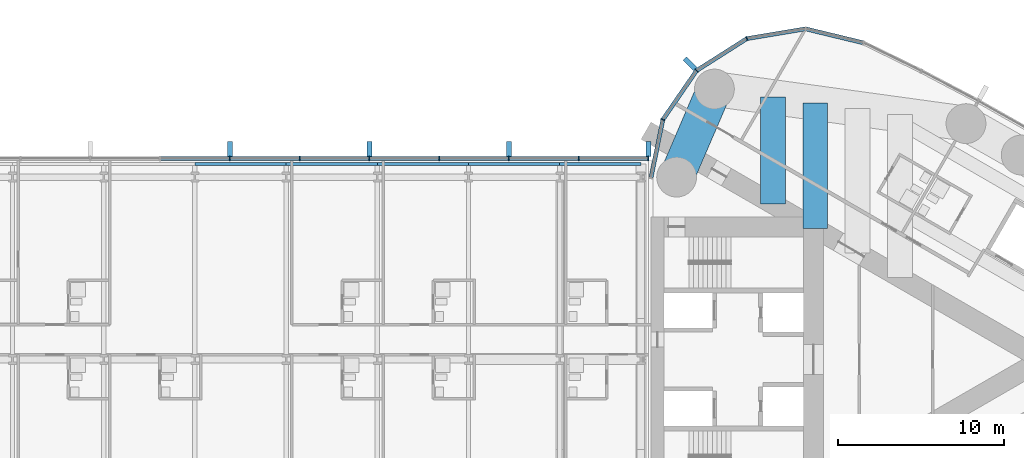
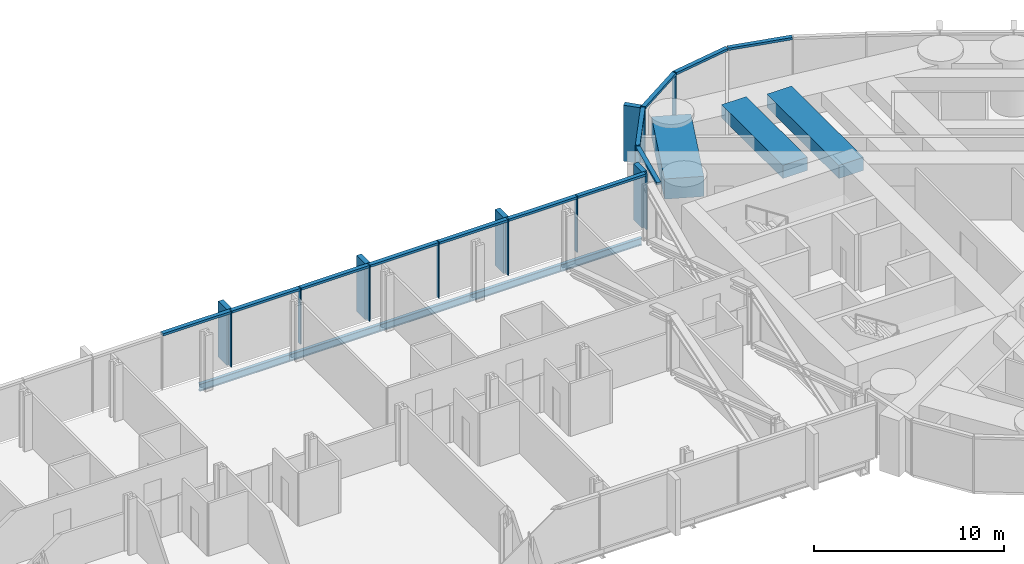
# One storey, part 10 of 22: 27 members, 8 beams, 2 elements without a shape of their own.
"""IFC4 building model written with IfcOpenShell, lengths in metres."""

import ifcopenshell
import ifcopenshell.guid

model = None  # the IFC model being written
_history = None  # IfcOwnerHistory: only IFC2X3 demands one
_inside = {}  # id of a spatial element -> (the spatial element, [elements in it])
_under = {}  # id of a project, library or spatial element -> (it, [spatial elements below it])
_declared = {}  # id of a project -> (the project, [libraries it declares])
_typed = {}  # id of a type object -> (the type object, [elements of that type])
_made_of = {}  # id of a material, layer set ... -> (it, [elements and type objects made of it])


def new_model(schema):
    """Start an empty IFC model of exactly this schema.

    Asked for "IFC4X3", IfcOpenShell would pick the latest addendum, in which some entities
    have other attributes; the version numbers below select the first issue.
    IFC2X3 requires an IfcOwnerHistory on every rooted entity: one is made here for all.
    """
    global model, _history
    if schema == "IFC4X3":
        model = ifcopenshell.file(schema_version=(4, 3, 0, 0))
    else:
        model = ifcopenshell.file(schema=schema)
    _inside.clear()
    _under.clear()
    _declared.clear()
    _typed.clear()
    _made_of.clear()
    _history = None
    if model.schema == "IFC2X3":
        org = make("IfcOrganization", Name="unknown")
        user = make(
            "IfcPersonAndOrganization",
            ThePerson=make("IfcPerson", FamilyName="unknown"),
            TheOrganization=org,
        )
        app = make(
            "IfcApplication",
            ApplicationDeveloper=org,
            Version="unknown",
            ApplicationFullName="unknown",
            ApplicationIdentifier="unknown",
        )
        _history = make(
            "IfcOwnerHistory",
            OwningUser=user,
            OwningApplication=app,
            ChangeAction="ADDED",
            CreationDate=0,
        )
    return model


def make(cls, **values):
    """One entity of the class cls with the attributes given. An attribute that is None is left unset."""
    return model.create_entity(
        cls, **{name: value for name, value in values.items() if value is not None}
    )


def rooted(cls, **values):
    """An entity with a GlobalId (a new one), such as an element, a storey or a relation."""
    return make(cls, GlobalId=ifcopenshell.guid.new(), OwnerHistory=_history, **values)


def si_unit(unit_type, name, prefix=None):
    """IfcSIUnit, for example si_unit("LENGTHUNIT", "METRE", prefix="MILLI")."""
    return make("IfcSIUnit", UnitType=unit_type, Prefix=prefix, Name=name)


def assignment(units):
    """IfcUnitAssignment: the units of a project."""
    return None if units is None else make("IfcUnitAssignment", Units=units)


def point(xyz):
    """IfcCartesianPoint."""
    return None if xyz is None else make("IfcCartesianPoint", Coordinates=xyz)


def direction(xyz):
    """IfcDirection."""
    return None if xyz is None else make("IfcDirection", DirectionRatios=xyz)


def frame(location, z_axis=None, x_axis=None):
    """IfcAxis2Placement3D, a coordinate frame: its origin and axes. An axis left out is left unset."""
    return make(
        "IfcAxis2Placement3D",
        Location=point(location),
        Axis=direction(z_axis),
        RefDirection=direction(x_axis),
    )


def frame_2d(location, x_axis=None):
    """IfcAxis2Placement2D, a coordinate frame in the plane: its origin and x axis."""
    return make(
        "IfcAxis2Placement2D", Location=point(location), RefDirection=direction(x_axis)
    )


def origin():
    """The frame at (0, 0, 0) with its axes left unset."""
    return frame((0.0, 0.0, 0.0))


def origin_2d():
    """The frame at (0, 0) in the plane with its x axis left unset."""
    return frame_2d((0.0, 0.0))


def place(relative_to, where):
    """IfcLocalPlacement: puts the frame where relative to a parent placement (None: the world)."""
    return make(
        "IfcLocalPlacement", PlacementRelTo=relative_to, RelativePlacement=where
    )


def context(
    kind, dimensions, precision=None, world=None, true_north=None, identifier=None
):
    """IfcGeometricRepresentationContext, for example the 3D "Model" context."""
    return make(
        "IfcGeometricRepresentationContext",
        ContextIdentifier=identifier,
        ContextType=kind,
        CoordinateSpaceDimension=dimensions,
        Precision=precision,
        WorldCoordinateSystem=world,
        TrueNorth=true_north,
    )


def subcontext(parent, identifier, kind, view, scale=None):
    """IfcGeometricRepresentationSubContext, for example "Body" below "Model"."""
    return make(
        "IfcGeometricRepresentationSubContext",
        ContextIdentifier=identifier,
        ContextType=kind,
        ParentContext=parent,
        TargetScale=scale,
        TargetView=view,
    )


def project(units=None, contexts=None):
    """IfcProject with its units and contexts."""
    return rooted(
        "IfcProject",
        Name="project",
        RepresentationContexts=contexts,
        UnitsInContext=assignment(units),
    )


def spatial(cls, under=None, at=None, **own):
    """A site, building, storey or space (cls), placed at a placement, below another one or the project."""
    s = rooted(cls, ObjectPlacement=at, **own)
    if under is not None:
        _under.setdefault(under.id(), (under, []))[1].append(s)
    return s


def profile(cls, at=None, kind="AREA", **sizes):
    """A parametric profile (cls). Its sizes go by their IFC names, for example OverallWidth=200.0."""
    return make(cls, ProfileType=kind, Position=at, **sizes)


def rectangle(**sizes):
    """IfcRectangleProfileDef."""
    return profile("IfcRectangleProfileDef", **sizes)


def i_section(**sizes):
    """IfcIShapeProfileDef."""
    return profile("IfcIShapeProfileDef", **sizes)


def extrude(swept, where, along, depth):
    """IfcExtrudedAreaSolid: the profile swept, set in the frame where, extruded along a direction by depth."""
    return make(
        "IfcExtrudedAreaSolid",
        SweptArea=swept,
        Position=where,
        ExtrudedDirection=direction(along),
        Depth=depth,
    )


def shape(context_of_items, identifier, shape_type, items):
    """IfcShapeRepresentation: the items that make up one representation, for example the "Body"."""
    return make(
        "IfcShapeRepresentation",
        ContextOfItems=context_of_items,
        RepresentationIdentifier=identifier,
        RepresentationType=shape_type,
        Items=items,
    )


def material(Name=None, Category=None):
    """IfcMaterial."""
    return make("IfcMaterial", Name=Name, Category=Category)


def material_profile(
    of_material, cross_section, Name=None, Category=None, Priority=None
):
    """IfcMaterialProfile: a cross section and its material."""
    return make(
        "IfcMaterialProfile",
        Name=Name,
        Material=of_material,
        Profile=cross_section,
        Priority=Priority,
        Category=Category,
    )


def profile_set(profiles, Name=None, composite=None):
    """IfcMaterialProfileSet."""
    return make(
        "IfcMaterialProfileSet",
        Name=Name,
        MaterialProfiles=profiles,
        CompositeProfile=composite,
    )


def made_of(thing, what):
    """Note that an element or type object is made of a material, layer set ...; save() writes the relation."""
    if what is not None:
        _made_of.setdefault(what.id(), (what, []))[1].append(thing)
    return thing


def type_object(cls, material=None, **own):
    """A type object (cls), such as IfcWallType, which elements share."""
    return made_of(rooted(cls, **own), material)


def element(
    cls,
    number,
    at=None,
    inside=None,
    cuts=None,
    type_object=None,
    material=None,
    context=None,
    identifier="Body",
    shape_type=None,
    held_by="IfcProductDefinitionShape",
    body=None,
    shapes=None,
    **own,
):
    """One element of the class cls, such as IfcWall. Its Tag is "e" and its number.

    at: its placement. inside: the storey or other place that contains it. cuts: it is an
    opening in that element (IfcRelVoidsElement). A single representation is given by context,
    identifier, shape_type and body (its items); several are given by shapes. held_by: the class
    of the entity that holds the representations. save() writes the other relations.
    """
    e = rooted(cls, Tag="e%d" % number, ObjectPlacement=at, **own)
    if body is not None:
        shapes = [shape(context, identifier, shape_type, body)]
    if shapes is not None:
        e.Representation = make(held_by, Representations=shapes)
    if inside is not None:
        _inside.setdefault(inside.id(), (inside, []))[1].append(e)
    if cuts is not None:
        rooted(
            "IfcRelVoidsElement", RelatingBuildingElement=cuts, RelatedOpeningElement=e
        )
    if type_object is not None:
        _typed.setdefault(type_object.id(), (type_object, []))[1].append(e)
    return made_of(e, material)


def aggregate(whole, parts):
    """IfcRelAggregates: a whole, such as a stair, and the parts it consists of."""
    return rooted("IfcRelAggregates", RelatingObject=whole, RelatedObjects=parts)


def save(model, path):
    """Write the relations noted so far, then the file.

    IfcRelAggregates (storeys below a building ...), IfcRelContainedInSpatialStructure (elements
    in a storey), IfcRelDefinesByType, IfcRelAssociatesMaterial and IfcRelDeclares: one each for
    every whole, place, type object, material and project.
    """
    for whole, parts in _under.values():
        aggregate(whole, parts)
    for where, things in _inside.values():
        rooted(
            "IfcRelContainedInSpatialStructure",
            RelatedElements=things,
            RelatingStructure=where,
        )
    for kind, things in _typed.values():
        rooted("IfcRelDefinesByType", RelatedObjects=things, RelatingType=kind)
    for what, things in _made_of.values():
        rooted("IfcRelAssociatesMaterial", RelatedObjects=things, RelatingMaterial=what)
    for by, libraries in _declared.values():
        rooted("IfcRelDeclares", RelatingContext=by, RelatedDefinitions=libraries)
    model.write(path)


model = new_model("IFC4")

# Units and contexts
model_context = context("Model", 3, precision=1e-05, world=origin(), true_north=direction((0.0, 1.0)))
body_context = subcontext(model_context, "Body", "Model", "MODEL_VIEW")
ifc_project = project(units=[si_unit("LENGTHUNIT", "METRE"), si_unit("AREAUNIT", "SQUARE_METRE"), si_unit("VOLUMEUNIT", "CUBIC_METRE"), si_unit("PLANEANGLEUNIT", "RADIAN"), si_unit("MASSUNIT", "GRAM", prefix="KILO")], contexts=[model_context])

# Site, building, storey
site_placement = place(None, origin())
site = spatial("IfcSite", under=ifc_project, at=site_placement, CompositionType="ELEMENT")
building_placement = place(site_placement, origin())
building = spatial("IfcBuilding", under=site, at=building_placement, Name="Lancet Gate Hotel", CompositionType="ELEMENT")
storey_placement = place(building_placement, frame((0.0, 0.0, 226.10009765625)))
storey = spatial("IfcBuildingStorey", under=building, at=storey_placement, Name="L60", CompositionType="ELEMENT", Elevation=226.10009765625)

# Curtain wall, members
ifc_material_1 = material(Name="Aluminium curtain wall", Category="aluminium")
curtain_wall_type_1 = type_object("IfcCurtainWallType", Name="Tower unitised curtain wall", PredefinedType="USERDEFINED", material=ifc_material_1)
curtain_wall_1_placement = place(storey_placement, origin())
curtain_wall_1 = element("IfcCurtainWall", 1, at=curtain_wall_1_placement, inside=storey, type_object=curtain_wall_type_1, Name="T2 L60 curtain wall 1", ObjectType="UNITISED CURTAIN WALL", PredefinedType="USERDEFINED")
ifc_material_2 = material(Name="Aluminium mullion", Category="aluminium")
ifc_material_profile_1 = material_profile(ifc_material_2, rectangle(XDim=0.06494140625, YDim=0.25, at=origin_2d()), Name="MULLION 65x250")
ifc_profile_set_1 = profile_set([ifc_material_profile_1], Name="Aluminium mullion")
member_type_1 = type_object("IfcMemberType", Name="Aluminium mullion 65x250", PredefinedType="MULLION", material=ifc_profile_set_1)
member_1_placement = place(storey_placement, frame((33.283203125, 19.353515625, 0.0), z_axis=(0.0, 0.0, 1.0), x_axis=(-0.93394321776, -0.357421412343, 0.0)))
member_1 = element("IfcMember", 2, at=member_1_placement, type_object=member_type_1, Name="T2 L60 curtain wall 1 mullion 24", PredefinedType="MULLION", context=body_context, shape_type="SweptSolid", body=[
    extrude(rectangle(XDim=0.06494140625, YDim=0.25, at=origin_2d()), origin(), (0.0, 0.0, 1.0), 3.599853515625),
])
member_2_placement = place(storey_placement, frame((30.25244140625, 17.42626953125, 0.0), z_axis=(0.0, 0.0, 1.0), x_axis=(-0.719809077627, -0.694172090886, 0.0)))
member_2 = element("IfcMember", 3, at=member_2_placement, type_object=member_type_1, Name="T2 L60 curtain wall 1 mullion 25", PredefinedType="MULLION", context=body_context, shape_type="SweptSolid", body=[
    extrude(rectangle(XDim=0.06494140625, YDim=0.25, at=origin_2d()), origin(), (0.0, 0.0, 1.0), 3.599853515625),
])
member_3_placement = place(storey_placement, frame((28.216552734375, 14.467529296875, 0.0), z_axis=(0.0, 0.0, 1.0), x_axis=(-0.391042139098, -0.920372775265, 0.0)))
member_3 = element("IfcMember", 4, at=member_3_placement, type_object=member_type_1, Name="T2 L60 curtain wall 1 mullion 26", PredefinedType="MULLION", context=body_context, shape_type="SweptSolid", body=[
    extrude(rectangle(XDim=0.06494140625, YDim=0.25, at=origin_2d()), origin(), (0.0, 0.0, 1.0), 3.599853515625),
])

ifc_material_3 = material(Name="Aluminium curtain wall", Category="aluminium")
curtain_wall_type_2 = type_object("IfcCurtainWallType", Name="Bridge block curtain wall", PredefinedType="USERDEFINED", material=ifc_material_3)
curtain_wall_2_placement = place(storey_placement, origin())
curtain_wall_2 = element("IfcCurtainWall", 5, at=curtain_wall_2_placement, inside=storey, type_object=curtain_wall_type_2, Name="Bridge block L60 curtain wall N", ObjectType="UNITISED CURTAIN WALL", PredefinedType="USERDEFINED")
member_4_placement = place(storey_placement, frame((27.35009765625, 12.1201171875, 0.0), z_axis=(0.0, 0.0, 1.0), x_axis=(-1.0, 0.0, 0.0)))
member_4 = element("IfcMember", 6, at=member_4_placement, type_object=member_type_1, Name="Bridge block L60 curtain wall N mullion 1", PredefinedType="MULLION", context=body_context, shape_type="SweptSolid", body=[
    extrude(rectangle(XDim=0.06494140625, YDim=0.25, at=origin_2d()), origin(), (0.0, 0.0, 1.0), 3.599853515625),
])
member_5_placement = place(storey_placement, frame((23.142333984375, 12.1201171875, 0.0), z_axis=(0.0, 0.0, 1.0), x_axis=(-1.0, 0.0, 0.0)))
member_5 = element("IfcMember", 7, at=member_5_placement, type_object=member_type_1, Name="Bridge block L60 curtain wall N mullion 2", PredefinedType="MULLION", context=body_context, shape_type="SweptSolid", body=[
    extrude(rectangle(XDim=0.06494140625, YDim=0.25, at=origin_2d()), origin(), (0.0, 0.0, 1.0), 3.599853515625),
])
member_6_placement = place(storey_placement, frame((18.9345703125, 12.1201171875, 0.0), z_axis=(0.0, 0.0, 1.0), x_axis=(-1.0, 0.0, 0.0)))
member_6 = element("IfcMember", 8, at=member_6_placement, type_object=member_type_1, Name="Bridge block L60 curtain wall N mullion 3", PredefinedType="MULLION", context=body_context, shape_type="SweptSolid", body=[
    extrude(rectangle(XDim=0.06494140625, YDim=0.25, at=origin_2d()), origin(), (0.0, 0.0, 1.0), 3.599853515625),
])
member_7_placement = place(storey_placement, frame((14.726806640625, 12.1201171875, 0.0), z_axis=(0.0, 0.0, 1.0), x_axis=(-1.0, 0.0, 0.0)))
member_7 = element("IfcMember", 9, at=member_7_placement, type_object=member_type_1, Name="Bridge block L60 curtain wall N mullion 4", PredefinedType="MULLION", context=body_context, shape_type="SweptSolid", body=[
    extrude(rectangle(XDim=0.06494140625, YDim=0.25, at=origin_2d()), origin(), (0.0, 0.0, 1.0), 3.599853515625),
])
member_8_placement = place(storey_placement, frame((10.519287109375, 12.1201171875, 0.0), z_axis=(0.0, 0.0, 1.0), x_axis=(-1.0, 0.0, 0.0)))
member_8 = element("IfcMember", 10, at=member_8_placement, type_object=member_type_1, Name="Bridge block L60 curtain wall N mullion 5", PredefinedType="MULLION", context=body_context, shape_type="SweptSolid", body=[
    extrude(rectangle(XDim=0.06494140625, YDim=0.25, at=origin_2d()), origin(), (0.0, 0.0, 1.0), 3.599853515625),
])
member_9_placement = place(storey_placement, frame((6.3115234375, 12.1201171875, 0.0), z_axis=(0.0, 0.0, 1.0), x_axis=(-1.0, 0.0, 0.0)))
member_9 = element("IfcMember", 11, at=member_9_placement, type_object=member_type_1, Name="Bridge block L60 curtain wall N mullion 6", PredefinedType="MULLION", context=body_context, shape_type="SweptSolid", body=[
    extrude(rectangle(XDim=0.06494140625, YDim=0.25, at=origin_2d()), origin(), (0.0, 0.0, 1.0), 3.599853515625),
])
member_10_placement = place(storey_placement, frame((2.103759765625, 12.1201171875, 0.0), z_axis=(0.0, 0.0, 1.0), x_axis=(-1.0, 0.0, 0.0)))
member_10 = element("IfcMember", 12, at=member_10_placement, type_object=member_type_1, Name="Bridge block L60 curtain wall N mullion 7", PredefinedType="MULLION", context=body_context, shape_type="SweptSolid", body=[
    extrude(rectangle(XDim=0.06494140625, YDim=0.25, at=origin_2d()), origin(), (0.0, 0.0, 1.0), 3.599853515625),
])

# Member
ifc_material_4 = material(Name="Aluminium transom", Category="aluminium")
ifc_material_profile_2 = material_profile(ifc_material_4, rectangle(XDim=0.25, YDim=0.14990234375, at=origin_2d()), Name="TRANSOM 250x150")
ifc_profile_set_2 = profile_set([ifc_material_profile_2], Name="Aluminium transom")
member_type_2 = type_object("IfcMemberType", Name="Aluminium transom 250x150", PredefinedType="USERDEFINED", material=ifc_profile_set_2)
member_11_placement = place(storey_placement, frame((40.28564453125, 19.10595703125, 3.52490234375), z_axis=(-0.972002653858, 0.234969872307, 0.0), x_axis=(-0.234969872307, -0.972002653858, 0.0)))
member_11 = element("IfcMember", 13, at=member_11_placement, type_object=member_type_2, Name="T2 L60 curtain wall 1 transom 22", ObjectType="TRANSOM", PredefinedType="USERDEFINED", context=body_context, shape_type="SweptSolid", body=[
    extrude(rectangle(XDim=0.25, YDim=0.14990234375, at=origin_2d()), origin(), (0.0, 0.0, 1.0), 3.5263671875),
])

member_12_placement = place(storey_placement, frame((36.794189453125, 19.936767578125, 3.52490234375), z_axis=(-0.986483584545, -0.163860115412, 0.0), x_axis=(0.163860115412, -0.986483584545, 0.0)))
member_12 = element("IfcMember", 14, at=member_12_placement, type_object=member_type_2, Name="T2 L60 curtain wall 1 transom 23", ObjectType="TRANSOM", PredefinedType="USERDEFINED", context=body_context, shape_type="SweptSolid", body=[
    extrude(rectangle(XDim=0.25, YDim=0.14990234375, at=origin_2d()), origin(), (0.0, 0.0, 1.0), 3.526611328125),
])

member_13_placement = place(storey_placement, frame((33.255859375, 19.336181640625, 3.52490234375), z_axis=(-0.84385811281, -0.536566384938, 0.0), x_axis=(0.536566384938, -0.84385811281, 0.0)))
member_13 = element("IfcMember", 15, at=member_13_placement, type_object=member_type_2, Name="T2 L60 curtain wall 1 transom 24", ObjectType="TRANSOM", PredefinedType="USERDEFINED", context=body_context, shape_type="SweptSolid", body=[
    extrude(rectangle(XDim=0.25, YDim=0.14990234375, at=origin_2d()), origin(), (0.0, 0.0, 1.0), 3.52685546875),
])

member_14_placement = place(storey_placement, frame((30.234130859375, 17.399658203125, 3.52490234375), z_axis=(-0.566813768052, -0.82384595183, 0.0), x_axis=(0.82384595183, -0.566813768052, 0.0)))
member_14 = element("IfcMember", 16, at=member_14_placement, type_object=member_type_2, Name="T2 L60 curtain wall 1 transom 25", ObjectType="TRANSOM", PredefinedType="USERDEFINED", context=body_context, shape_type="SweptSolid", body=[
    extrude(rectangle(XDim=0.25, YDim=0.14990234375, at=origin_2d()), origin(), (0.0, 0.0, 1.0), 3.52685546875),
])

member_15_placement = place(storey_placement, frame((28.210205078125, 14.435546875, 3.52490234375), z_axis=(-0.19952323725, -0.979893095086, 0.0), x_axis=(0.979893095086, -0.19952323725, 0.0)))
member_15 = element("IfcMember", 17, at=member_15_placement, type_object=member_type_2, Name="T2 L60 curtain wall 1 transom 26", ObjectType="TRANSOM", PredefinedType="USERDEFINED", context=body_context, shape_type="SweptSolid", body=[
    extrude(rectangle(XDim=0.25, YDim=0.14990234375, at=origin_2d()), origin(), (0.0, 0.0, 1.0), 3.5263671875),
])

member_16_placement = place(storey_placement, frame((27.3173828125, 12.1201171875, 3.52490234375), z_axis=(-1.0, 0.0, 0.0), x_axis=(0.0, -1.0, 0.0)))
member_16 = element("IfcMember", 18, at=member_16_placement, type_object=member_type_2, Name="Bridge block L60 curtain wall N transom 1", ObjectType="TRANSOM", PredefinedType="USERDEFINED", context=body_context, shape_type="SweptSolid", body=[
    extrude(rectangle(XDim=0.25, YDim=0.14990234375, at=origin_2d()), origin(), (0.0, 0.0, 1.0), 4.142578125),
])

member_17_placement = place(storey_placement, frame((23.10986328125, 12.1201171875, 3.52490234375), z_axis=(-1.0, 0.0, 0.0), x_axis=(0.0, -1.0, 0.0)))
member_17 = element("IfcMember", 19, at=member_17_placement, type_object=member_type_2, Name="Bridge block L60 curtain wall N transom 2", ObjectType="TRANSOM", PredefinedType="USERDEFINED", context=body_context, shape_type="SweptSolid", body=[
    extrude(rectangle(XDim=0.25, YDim=0.14990234375, at=origin_2d()), origin(), (0.0, 0.0, 1.0), 4.142822265625),
])

member_18_placement = place(storey_placement, frame((18.902099609375, 12.1201171875, 3.52490234375), z_axis=(-1.0, 0.0, 0.0), x_axis=(0.0, -1.0, 0.0)))
member_18 = element("IfcMember", 20, at=member_18_placement, type_object=member_type_2, Name="Bridge block L60 curtain wall N transom 3", ObjectType="TRANSOM", PredefinedType="USERDEFINED", context=body_context, shape_type="SweptSolid", body=[
    extrude(rectangle(XDim=0.25, YDim=0.14990234375, at=origin_2d()), origin(), (0.0, 0.0, 1.0), 4.142578125),
])

member_19_placement = place(storey_placement, frame((14.6943359375, 12.1201171875, 3.52490234375), z_axis=(-1.0, 0.0, 0.0), x_axis=(0.0, -1.0, 0.0)))
member_19 = element("IfcMember", 21, at=member_19_placement, type_object=member_type_2, Name="Bridge block L60 curtain wall N transom 4", ObjectType="TRANSOM", PredefinedType="USERDEFINED", context=body_context, shape_type="SweptSolid", body=[
    extrude(rectangle(XDim=0.25, YDim=0.14990234375, at=origin_2d()), origin(), (0.0, 0.0, 1.0), 4.142578125),
])

member_20_placement = place(storey_placement, frame((10.48681640625, 12.1201171875, 3.52490234375), z_axis=(-1.0, 0.0, 0.0), x_axis=(0.0, -1.0, 0.0)))
member_20 = element("IfcMember", 22, at=member_20_placement, type_object=member_type_2, Name="Bridge block L60 curtain wall N transom 5", ObjectType="TRANSOM", PredefinedType="USERDEFINED", context=body_context, shape_type="SweptSolid", body=[
    extrude(rectangle(XDim=0.25, YDim=0.14990234375, at=origin_2d()), origin(), (0.0, 0.0, 1.0), 4.142822265625),
])

member_21_placement = place(storey_placement, frame((6.279052734375, 12.1201171875, 3.52490234375), z_axis=(-1.0, 0.0, 0.0), x_axis=(0.0, -1.0, 0.0)))
member_21 = element("IfcMember", 23, at=member_21_placement, type_object=member_type_2, Name="Bridge block L60 curtain wall N transom 6", ObjectType="TRANSOM", PredefinedType="USERDEFINED", context=body_context, shape_type="SweptSolid", body=[
    extrude(rectangle(XDim=0.25, YDim=0.14990234375, at=origin_2d()), origin(), (0.0, 0.0, 1.0), 4.142822265625),
])

member_22_placement = place(storey_placement, frame((2.0712890625, 12.1201171875, 3.52490234375), z_axis=(-1.0, 0.0, 0.0), x_axis=(0.0, -1.0, 0.0)))
member_22 = element("IfcMember", 24, at=member_22_placement, type_object=member_type_2, Name="Bridge block L60 curtain wall N transom 7", ObjectType="TRANSOM", PredefinedType="USERDEFINED", context=body_context, shape_type="SweptSolid", body=[
    extrude(rectangle(XDim=0.25, YDim=0.14990234375, at=origin_2d()), origin(), (0.0, 0.0, 1.0), 4.142578125),
])

# Beams
ifc_material_5 = material(Name="Steel S355", Category="steel")
ifc_material_profile_3 = material_profile(ifc_material_5, i_section(OverallWidth=0.19140625, OverallDepth=0.4599609375, WebThickness=0.010009765625, FlangeThickness=0.01611328125, FilletRadius=0.01025390625, at=origin_2d()), Name="UKB 457x191x82")
ifc_profile_set_3 = profile_set([ifc_material_profile_3], Name="Steel S355")
beam_type_1 = type_object("IfcBeamType", Name="Block edge beam UKB 457x191x82", PredefinedType="SPANDREL", material=ifc_profile_set_3)
for number, where, z_axis, x_axis, name in (
    (25, (0.0, 11.800048828125, -0.43017578125), (1.0, 0.0, 0.0), (0.0, 1.0, 0.0), "Block edge beam N 5-6 L60"),
    (26, (5.5, 11.800048828125, -0.43017578125), (1.0, 0.0, 0.0), (0.0, 1.0, 0.0), "Block edge beam N 6-7 L60"),
    (27, (11.0, 11.800048828125, -0.43017578125), (1.0, 0.0, 0.0), (0.0, 1.0, 0.0), "Block edge beam N 7-8 L60"),
    (28, (16.5, 11.800048828125, -0.43017578125), (1.0, 0.0, 0.0), (0.0, 1.0, 0.0), "Block edge beam N 8-9 L60"),
):
    element("IfcBeam", number, at=place(storey_placement, frame(where, z_axis=z_axis, x_axis=x_axis)), inside=storey, type_object=beam_type_1, Name=name, PredefinedType="SPANDREL", context=body_context, shape_type="SweptSolid", body=[
        extrude(i_section(OverallWidth=0.19140625, OverallDepth=0.4599609375, WebThickness=0.010009765625, FlangeThickness=0.01611328125, FilletRadius=0.01025390625, at=origin_2d()), origin(), (0.0, 0.0, 1.0), 5.5),
    ])
beam_1_placement = place(storey_placement, frame((22.0, 11.800048828125, -0.43017578125), z_axis=(1.0, 0.0, 0.0), x_axis=(0.0, 1.0, 0.0)))
element("IfcBeam", 29, at=beam_1_placement, inside=storey, type_object=beam_type_1, Name="Block edge beam N 9-10 L60", PredefinedType="SPANDREL", context=body_context, shape_type="SweptSolid", body=[
    extrude(i_section(OverallWidth=0.19140625, OverallDepth=0.4599609375, WebThickness=0.010009765625, FlangeThickness=0.01611328125, FilletRadius=0.01025390625, at=origin_2d()), origin(), (0.0, 0.0, 1.0), 4.89990234375),
])
ifc_material_6 = material(Name="Concrete C50/60", Category="concrete")
ifc_material_profile_4 = material_profile(ifc_material_6, rectangle(XDim=2.10009765625, YDim=1.300048828125, at=origin_2d()), Name="RC 2100x1300")
ifc_profile_set_4 = profile_set([ifc_material_profile_4], Name="Concrete C50/60")
beam_type_2 = type_object("IfcBeamType", Name="Edge beam RC 2100x1300", PredefinedType="SPANDREL", material=ifc_profile_set_4)
beam_2_placement = place(storey_placement, frame((29.050048828125, 11.0, 2.699951171875), z_axis=(0.394250694824, 0.91900293233, 0.0), x_axis=(-0.91900293233, 0.394250694824, 0.0)))
element("IfcBeam", 30, at=beam_2_placement, inside=storey, type_object=beam_type_2, Name="T2 edge beam EB1 L60", PredefinedType="SPANDREL", context=body_context, shape_type="SweptSolid", body=[
    extrude(rectangle(XDim=2.10009765625, YDim=1.300048828125, at=origin_2d()), origin(), (0.0, 0.0, 1.0), 5.77880859375),
])

# Member
ifc_material_7 = material(Name="Precast concrete C50/60", Category="concrete")
ifc_material_profile_5 = material_profile(ifc_material_7, rectangle(XDim=0.300048828125, YDim=0.89990234375, at=origin_2d()), Name="FIN 300x900")
ifc_profile_set_5 = profile_set([ifc_material_profile_5], Name="Precast concrete C50/60")
member_type_3 = type_object("IfcMemberType", Name="Exposed concrete fin 300x900", PredefinedType="USERDEFINED", material=ifc_profile_set_5)
member_23_placement = place(storey_placement, frame((29.853271484375, 17.84033203125, 0.0), z_axis=(0.0, 0.0, 1.0), x_axis=(-0.719809077627, -0.694172090886, 0.0)))
member_23 = element("IfcMember", 31, at=member_23_placement, type_object=member_type_3, Name="T2 L60 curtain wall 1 fin 25", ObjectType="FIN", PredefinedType="USERDEFINED", context=body_context, shape_type="SweptSolid", body=[
    extrude(rectangle(XDim=0.300048828125, YDim=0.89990234375, at=origin_2d()), origin(), (0.0, 0.0, 1.0), 3.599853515625),
])

aggregate(curtain_wall_1, [member_1, member_2, member_23, member_3, member_11, member_12, member_13, member_14, member_15])

member_24_placement = place(storey_placement, frame((27.35009765625, 12.695068359375, 0.0), z_axis=(0.0, 0.0, 1.0), x_axis=(-1.0, 0.0, 0.0)))
member_24 = element("IfcMember", 32, at=member_24_placement, type_object=member_type_3, Name="Bridge block L60 curtain wall N fin 1", ObjectType="FIN", PredefinedType="USERDEFINED", context=body_context, shape_type="SweptSolid", body=[
    extrude(rectangle(XDim=0.300048828125, YDim=0.89990234375, at=origin_2d()), origin(), (0.0, 0.0, 1.0), 3.599853515625),
])

member_25_placement = place(storey_placement, frame((18.9345703125, 12.695068359375, 0.0), z_axis=(0.0, 0.0, 1.0), x_axis=(-1.0, 0.0, 0.0)))
member_25 = element("IfcMember", 33, at=member_25_placement, type_object=member_type_3, Name="Bridge block L60 curtain wall N fin 3", ObjectType="FIN", PredefinedType="USERDEFINED", context=body_context, shape_type="SweptSolid", body=[
    extrude(rectangle(XDim=0.300048828125, YDim=0.89990234375, at=origin_2d()), origin(), (0.0, 0.0, 1.0), 3.599853515625),
])

member_26_placement = place(storey_placement, frame((10.519287109375, 12.695068359375, 0.0), z_axis=(0.0, 0.0, 1.0), x_axis=(-1.0, 0.0, 0.0)))
member_26 = element("IfcMember", 34, at=member_26_placement, type_object=member_type_3, Name="Bridge block L60 curtain wall N fin 5", ObjectType="FIN", PredefinedType="USERDEFINED", context=body_context, shape_type="SweptSolid", body=[
    extrude(rectangle(XDim=0.300048828125, YDim=0.89990234375, at=origin_2d()), origin(), (0.0, 0.0, 1.0), 3.599853515625),
])

member_27_placement = place(storey_placement, frame((2.103759765625, 12.695068359375, 0.0), z_axis=(0.0, 0.0, 1.0), x_axis=(-1.0, 0.0, 0.0)))
member_27 = element("IfcMember", 35, at=member_27_placement, type_object=member_type_3, Name="Bridge block L60 curtain wall N fin 7", ObjectType="FIN", PredefinedType="USERDEFINED", context=body_context, shape_type="SweptSolid", body=[
    extrude(rectangle(XDim=0.300048828125, YDim=0.89990234375, at=origin_2d()), origin(), (0.0, 0.0, 1.0), 3.599853515625),
])

aggregate(curtain_wall_2, [member_4, member_24, member_5, member_6, member_25, member_7, member_8, member_26, member_9, member_10, member_27, member_16, member_17, member_18, member_19, member_20, member_21, member_22])

# Beams
ifc_material_8 = material(Name="Concrete C50/60", Category="concrete")
ifc_material_profile_6 = material_profile(ifc_material_8, rectangle(XDim=1.5, YDim=0.85009765625, at=origin_2d()), Name="RC 1500x850")
ifc_profile_set_6 = profile_set([ifc_material_profile_6], Name="Concrete C50/60")
beam_type_3 = type_object("IfcBeamType", Name="Floor beam RC 1500x850", PredefinedType="BEAM", material=ifc_profile_set_6)
beam_3_placement = place(storey_placement, frame((34.859619140625, 9.377685546875, 2.9248046875), z_axis=(0.0, 1.0, 0.0), x_axis=(-1.0, 0.0, 0.0)))
element("IfcBeam", 36, at=beam_3_placement, inside=storey, type_object=beam_type_3, Name="T2 floor beam F02N L60", PredefinedType="BEAM", context=body_context, shape_type="SweptSolid", body=[
    extrude(rectangle(XDim=1.5, YDim=0.85009765625, at=origin_2d()), origin(), (0.0, 0.0, 1.0), 6.44775390625),
])
beam_4_placement = place(storey_placement, frame((37.412841796875, 7.903564453125, 2.9248046875), z_axis=(0.0, 1.0, 0.0), x_axis=(-1.0, 0.0, 0.0)))
element("IfcBeam", 37, at=beam_4_placement, inside=storey, type_object=beam_type_3, Name="T2 floor beam F04N L60", PredefinedType="BEAM", context=body_context, shape_type="SweptSolid", body=[
    extrude(rectangle(XDim=1.5, YDim=0.85009765625, at=origin_2d()), origin(), (0.0, 0.0, 1.0), 7.57080078125),
])

save(model, "model.ifc")
